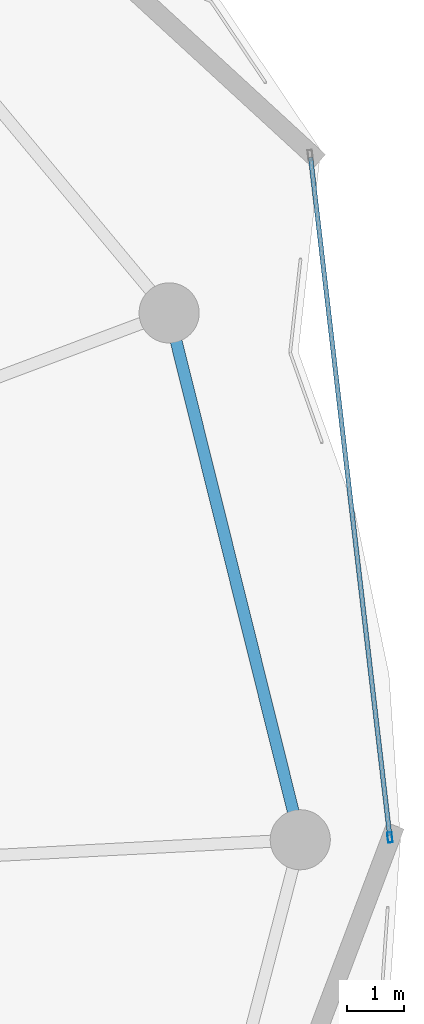
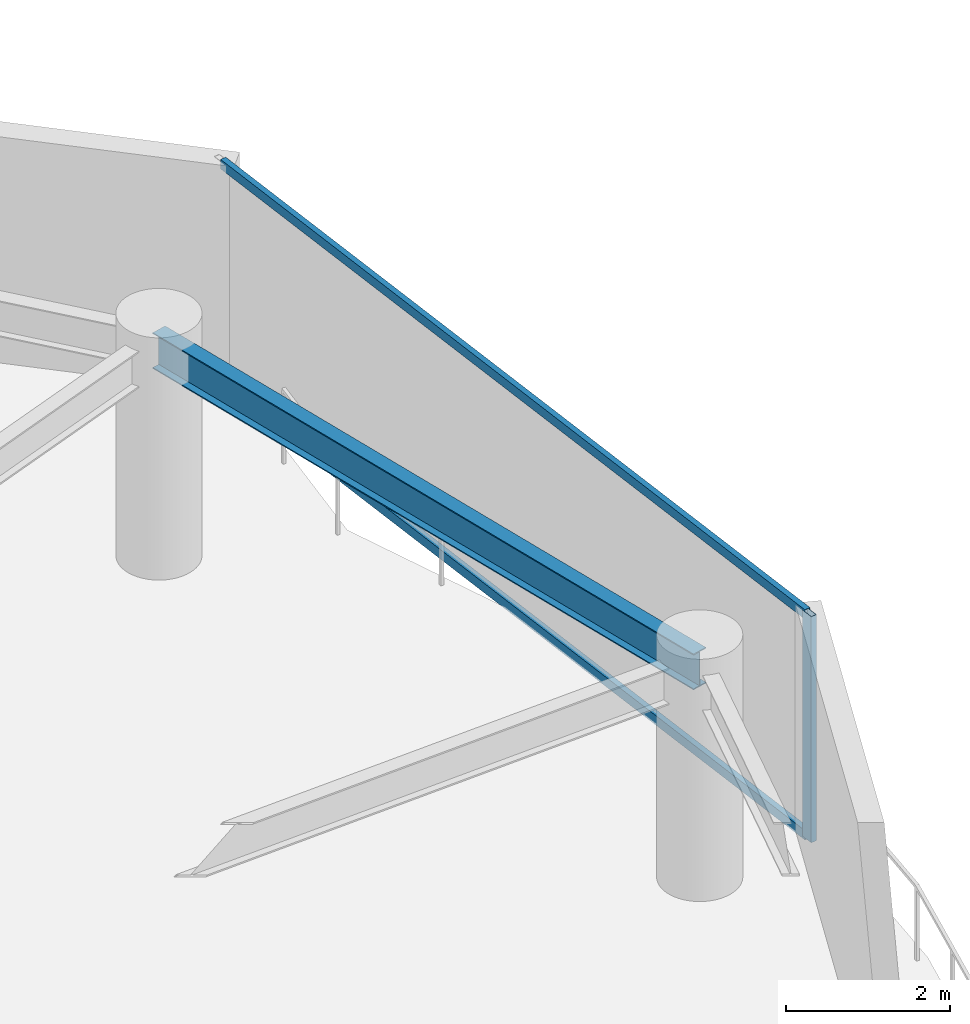
# One storey, part 16 of 31: 3 members, 1 beam, 1 element without a shape of its own.
"""IFC4 building model written with IfcOpenShell, lengths in metres."""

from ifc_helpers import new_model, si_unit, direction, frame, origin, origin_2d, place, context, subcontext, project, spatial, hollow_rectangle, i_section, extrude, material, layer, layer_set, material_profile, profile_set, type_object, element, aggregate, save


model = new_model("IFC4")

# Units and contexts
model_context = context("Model", 3, precision=1e-05, world=origin(), true_north=direction((0.0, 1.0)))
body_context = subcontext(model_context, "Body", "Model", "MODEL_VIEW")
ifc_project = project(units=[si_unit("LENGTHUNIT", "METRE"), si_unit("AREAUNIT", "SQUARE_METRE"), si_unit("VOLUMEUNIT", "CUBIC_METRE"), si_unit("PLANEANGLEUNIT", "RADIAN"), si_unit("MASSUNIT", "GRAM", prefix="KILO")], contexts=[model_context])

# Site, building, storey
site_placement = place(None, origin())
site = spatial("IfcSite", under=ifc_project, at=site_placement, CompositionType="ELEMENT")
building_placement = place(site_placement, origin())
building = spatial("IfcBuilding", under=site, at=building_placement, Name="Kazevale Care Tower and Concert Hall", CompositionType="ELEMENT")
storey_placement = place(building_placement, frame((0.0, 0.0, 220.800048828125)))
storey = spatial("IfcBuildingStorey", under=building, at=storey_placement, Name="L58", CompositionType="ELEMENT", Elevation=220.800048828125)

# Curtain wall, members
ifc_material_1 = material(Name="Aluminium 6063-T6 and Low-E Glass", Category="aluminium")
ifc_layer = layer(ifc_material_1, 0.179931640625)
ifc_layer_set = layer_set([ifc_layer], Name="Aluminium 6063-T6 and Low-E Glass")
curtain_wall_type = type_object("IfcCurtainWallType", Name="Waist & Upper Residential Curtain Wall CW-4", PredefinedType="NOTDEFINED", material=ifc_layer_set)
curtain_wall_placement = place(storey_placement, origin())
curtain_wall = element("IfcCurtainWall", 1, at=curtain_wall_placement, inside=storey, type_object=curtain_wall_type, Name="cw:L58:f18", PredefinedType="NOTDEFINED")
ifc_material_2 = material(Name="Aluminium 6063-T6", Category="aluminium")
ifc_material_profile_1 = material_profile(ifc_material_2, hollow_rectangle(XDim=0.080078125, YDim=0.179931640625, WallThickness=0.0048828125, at=origin_2d()), Name="ALU80x180x5")
ifc_profile_set_1 = profile_set([ifc_material_profile_1], Name="Aluminium 6063-T6")
member_type_1 = type_object("IfcMemberType", Name="CW-4 Mullion ALU80x180x5", PredefinedType="MULLION", material=ifc_profile_set_1)
member_1_placement = place(storey_placement, frame((76.615478515625, 38.039794921875, 0.0), z_axis=(0.0, 0.0, 1.0), x_axis=(0.993267109779, 0.115846659989, 0.0)))
member_1 = element("IfcMember", 2, at=member_1_placement, type_object=member_type_1, Name="CW-4 mullion 2", PredefinedType="MULLION", context=body_context, shape_type="SweptSolid", body=[
    extrude(hollow_rectangle(XDim=0.080078125, YDim=0.179931640625, WallThickness=0.0048828125, at=origin_2d()), origin(), (0.0, 0.0, 1.0), 3.35986328125),
])
ifc_material_profile_2 = material_profile(ifc_material_2, hollow_rectangle(XDim=0.080078125, YDim=0.139892578125, WallThickness=0.00390625, at=origin_2d()), Name="ALU80x140x4")
ifc_profile_set_2 = profile_set([ifc_material_profile_2], Name="Aluminium 6063-T6")
member_type_2 = type_object("IfcMemberType", Name="CW-4 Transom ALU80x140x4", PredefinedType="USERDEFINED", material=ifc_profile_set_2)
member_2_placement = place(storey_placement, frame((75.230224609375, 49.91552734375, 0.0400390625), z_axis=(0.115858128775, -0.993265772086, 0.0), x_axis=(0.993265772086, 0.115858128775, 0.0)))
member_2 = element("IfcMember", 3, at=member_2_placement, type_object=member_type_2, Name="CW-4 transom 1.1", ObjectType="TRANSOM", PredefinedType="USERDEFINED", context=body_context, shape_type="SweptSolid", body=[
    extrude(hollow_rectangle(XDim=0.080078125, YDim=0.139892578125, WallThickness=0.00390625, at=origin_2d()), origin(), (0.0, 0.0, 1.0), 11.91650390625),
])
member_3_placement = place(storey_placement, frame((75.230224609375, 49.91552734375, 3.320068359375), z_axis=(0.115858128775, -0.993265772086, 0.0), x_axis=(0.993265772086, 0.115858128775, 0.0)))
member_3 = element("IfcMember", 4, at=member_3_placement, type_object=member_type_2, Name="CW-4 transom 1.2", ObjectType="TRANSOM", PredefinedType="USERDEFINED", context=body_context, shape_type="SweptSolid", body=[
    extrude(hollow_rectangle(XDim=0.080078125, YDim=0.139892578125, WallThickness=0.00390625, at=origin_2d()), origin(), (0.0, 0.0, 1.0), 11.91650390625),
])
aggregate(curtain_wall, [member_1, member_2, member_3])

# Beam
ifc_material_3 = material(Name="Steel ASTM A572 Gr 50", Category="steel")
ifc_material_profile_3 = material_profile(ifc_material_3, i_section(OverallWidth=0.208984375, OverallDepth=0.532958984375, WebThickness=0.01025390625, FlangeThickness=0.015625, at=origin_2d()), Name="W530x92")
ifc_profile_set_3 = profile_set([ifc_material_profile_3], Name="Steel ASTM A572 Gr 50")
beam_type = type_object("IfcBeamType", Name="Upper Ring Beam W530x92", PredefinedType="BEAM", material=ifc_profile_set_3)
beam_placement = place(storey_placement, frame((75.050048828125, 38.0, 3.093505859375), z_axis=(-0.241547858543, 0.970388907621, 0.0), x_axis=(-0.970388907621, -0.241547858543, 0.0)))
element("IfcBeam", 5, at=beam_placement, inside=storey, type_object=beam_type, Name="beam:L58:ring:01", PredefinedType="BEAM", context=body_context, shape_type="SweptSolid", body=[
    extrude(i_section(OverallWidth=0.208984375, OverallDepth=0.532958984375, WebThickness=0.01025390625, FlangeThickness=0.015625, at=origin_2d()), origin(), (0.0, 0.0, 1.0), 9.480712890625),
])

save(model, "model.ifc")
